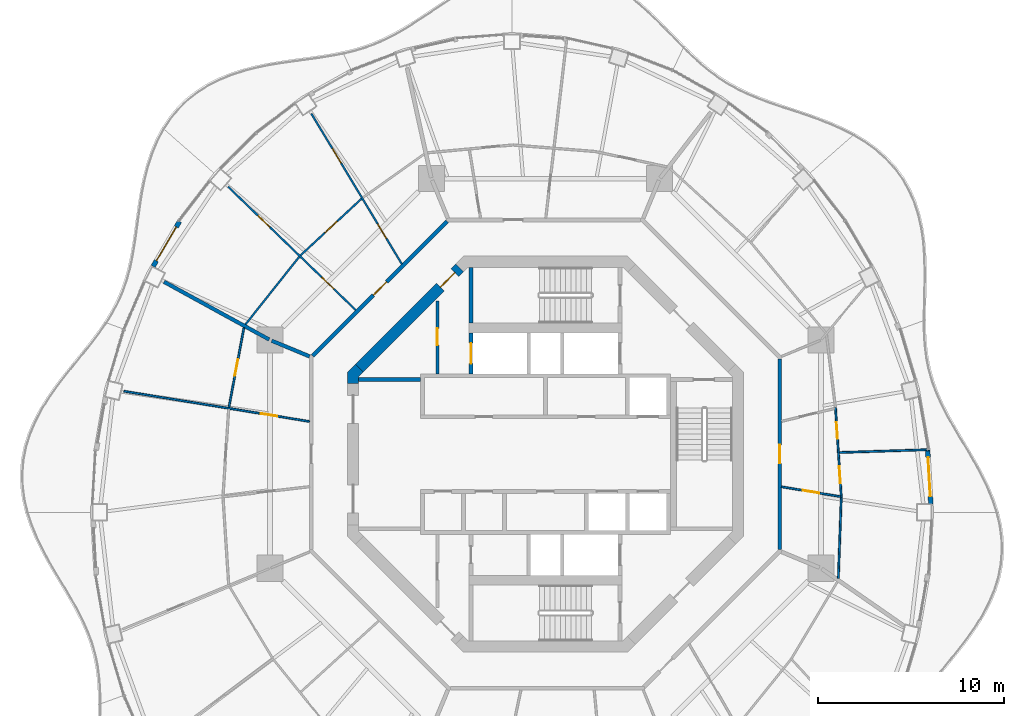
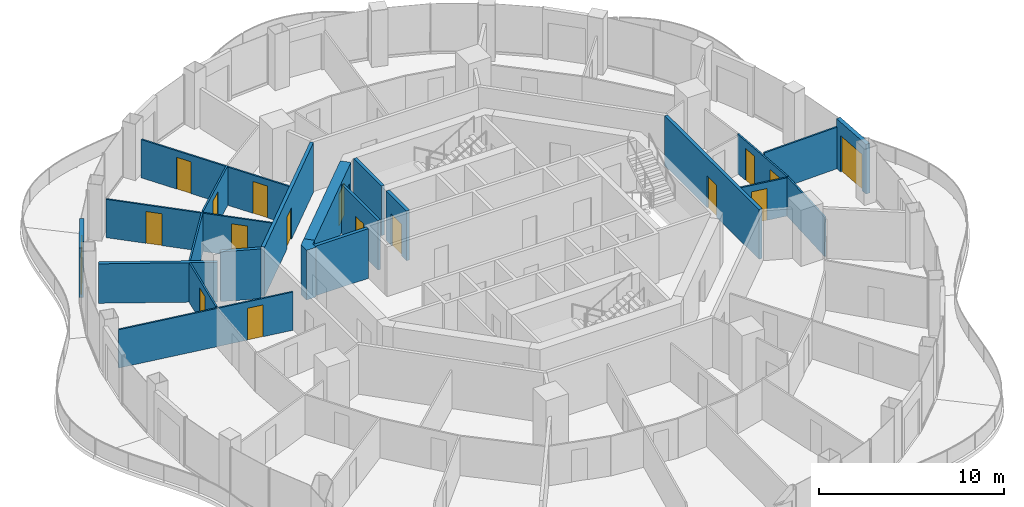
# One storey, part 12 of 17: 22 walls, 17 doors, 17 openings.
"""IFC4 building model written with IfcOpenShell, lengths in metres."""

from ifc_helpers import new_model, si_unit, direction, frame, frame_2d, origin, place, context, subcontext, project, spatial, polyline, rectangle, outline, extrude, material, layer, layer_set, type_object, element, fill, save


model = new_model("IFC4")

# Units and contexts
model_context = context("Model", 3, precision=1e-05, world=origin(), true_north=direction((0.0, 1.0)))
body_context = subcontext(model_context, "Body", "Model", "MODEL_VIEW")
ifc_project = project(units=[si_unit("LENGTHUNIT", "METRE"), si_unit("AREAUNIT", "SQUARE_METRE"), si_unit("VOLUMEUNIT", "CUBIC_METRE"), si_unit("PLANEANGLEUNIT", "RADIAN"), si_unit("MASSUNIT", "GRAM", prefix="KILO")], contexts=[model_context])

# Site, building, storey
site_placement = place(None, origin())
site = spatial("IfcSite", under=ifc_project, at=site_placement, CompositionType="ELEMENT")
building_placement = place(site_placement, origin())
building = spatial("IfcBuilding", under=site, at=building_placement, Name="Nagisa Residences", CompositionType="ELEMENT")
storey_placement = place(building_placement, frame((0.0, 0.0, 295.5)))
storey = spatial("IfcBuildingStorey", under=building, at=storey_placement, Name="L75", CompositionType="ELEMENT", Elevation=295.5)

# Walls
ifc_material_1 = material(Name="Gypsum board on steel studs", Category="steel")
ifc_layer_1 = layer(ifc_material_1, 0.199951171875)
ifc_layer_set_1 = layer_set([ifc_layer_1], Name="Apartment compartment wall EI60 200")
wall_type_1 = type_object("IfcWallType", Name="Apartment compartment wall EI60 200", PredefinedType="PARTITIONING", material=ifc_layer_set_1)
wall_1_placement = place(storey_placement, frame((-12.6572265625, 5.24267578125, 0.0), z_axis=(0.0, 0.0, 1.0), x_axis=(-0.923869415315, 0.382707856524, 0.0)))
element("IfcWall", 1, at=wall_1_placement, inside=storey, type_object=wall_type_1, Name="wall:L75:u04", PredefinedType="PARTITIONING", context=body_context, shape_type="SweptSolid", body=[
    extrude(rectangle(XDim=2.2001953125, YDim=0.199951171875, at=frame_2d((1.10009765625, 0.0))), origin(), (0.0, 0.0, 1.0), 3.280029296875),
])
wall_2_placement = place(storey_placement, frame((-14.825927734375, 6.14697265625, 0.0), z_axis=(0.0, 0.0, 1.0), x_axis=(-0.876484755865, 0.481429613481, 0.0)))
element("IfcWall", 2, at=wall_2_placement, inside=storey, type_object=wall_type_1, Name="wall:L75:u05", PredefinedType="PARTITIONING", context=body_context, shape_type="SweptSolid", body=[
    extrude(rectangle(XDim=6.43896484375, YDim=0.199951171875, at=frame_2d((3.219482421875, 0.0))), origin(), (0.0, 0.0, 1.0), 2.60205078125),
])

# Wall, opening, door
ifc_material_2 = material(Name="Gypsum board on steel studs", Category="steel")
ifc_layer_2 = layer(ifc_material_2, 0.199951171875)
ifc_layer_set_2 = layer_set([ifc_layer_2], Name="Apartment entry wall EI60 200")
wall_type_2 = type_object("IfcWallType", Name="Apartment entry wall EI60 200", PredefinedType="PARTITIONING", material=ifc_layer_set_2)
wall_3_placement = place(storey_placement, frame((12.564697265625, -5.1044921875, 0.0), z_axis=(0.0, 0.0, 1.0), x_axis=(0.0, 1.0, 0.0)))
wall_3 = element("IfcWall", 3, at=wall_3_placement, inside=storey, type_object=wall_type_2, Name="wall:L75:u10", PredefinedType="PARTITIONING", context=body_context, shape_type="SweptSolid", body=[
    extrude(rectangle(XDim=10.208984375, YDim=0.199951171875, at=frame_2d((5.1044921875, 0.0))), origin(), (0.0, 0.0, 1.0), 3.280029296875),
])
opening_1_placement = place(wall_3_placement, frame((4.6044921875, 0.0, 0.0)))
opening_1 = element("IfcOpeningElement", 4, at=opening_1_placement, cuts=wall_3, Name="Opening L75-U12", PredefinedType="OPENING", context=body_context, shape_type="SweptSolid", body=[
    extrude(rectangle(XDim=1.0, YDim=2.10009765625, at=frame_2d((0.5, 1.050048828125))), frame((0.0, 0.10986328125, 0.0), z_axis=(0.0, -1.0, 0.0), x_axis=(1.0, 0.0, 0.0)), (0.0, 0.0, 1.0), 0.219970703125),
])
ifc_material_3 = material(Name="Timber fire door set", Category="wood")
door_type_1 = type_object("IfcDoorType", Name="Apartment entry door FD30S 1000x2100", OperationType="NOTDEFINED", PredefinedType="DOOR", material=ifc_material_3)
door_1_placement = place(opening_1_placement, frame((1.0, 0.0, 0.0), x_axis=(-1.0, 0.0, 0.0)))
door_1 = element("IfcDoor", 5, at=door_1_placement, inside=storey, type_object=door_type_1, Name="Entry door, Apartment 75B", OperationType="SINGLE_SWING_LEFT", OverallHeight=2.10009765625, OverallWidth=1.0, PredefinedType="DOOR", context=body_context, shape_type="SweptSolid", body=[
    extrude(rectangle(XDim=1.0, YDim=2.10009765625, at=frame_2d((0.5, 1.050048828125))), frame((0.0, 0.02490234375, 0.0), z_axis=(0.0, -1.0, 0.0), x_axis=(1.0, 0.0, 0.0)), (0.0, 0.0, 1.0), 0.050048828125),
])
fill(opening_1, door_1)

wall_4_placement = place(storey_placement, frame((-5.275146484375, 12.494140625, 0.0), z_axis=(0.0, 0.0, 1.0), x_axis=(-0.707106781187, -0.707106781187, 0.0)))
wall_4 = element("IfcWall", 6, at=wall_4_placement, inside=storey, type_object=wall_type_2, Name="wall:L75:u13", PredefinedType="PARTITIONING", context=body_context, shape_type="SweptSolid", body=[
    extrude(rectangle(XDim=10.209228515625, YDim=0.199951171875, at=frame_2d((5.1044921875, 0.0))), origin(), (0.0, 0.0, 1.0), 3.280029296875),
])
opening_2_placement = place(wall_4_placement, frame((4.6044921875, 0.0, 0.0)))
opening_2 = element("IfcOpeningElement", 7, at=opening_2_placement, cuts=wall_4, Name="Opening L75-U25", PredefinedType="OPENING", context=body_context, shape_type="SweptSolid", body=[
    extrude(rectangle(XDim=1.0, YDim=2.10009765625, at=frame_2d((0.5, 1.050048828125))), frame((0.0, 0.10986328125, 0.0), z_axis=(0.0, -1.0, 0.0), x_axis=(1.0, 0.0, 0.0)), (0.0, 0.0, 1.0), 0.219970703125),
])
door_2_placement = place(opening_2_placement, frame((1.0, 0.0, 0.0), x_axis=(-1.0, 0.0, 0.0)))
door_2 = element("IfcDoor", 8, at=door_2_placement, inside=storey, type_object=door_type_1, Name="Entry door, Apartment 75D", OperationType="SINGLE_SWING_RIGHT", OverallHeight=2.10009765625, OverallWidth=1.0, PredefinedType="DOOR", context=body_context, shape_type="SweptSolid", body=[
    extrude(rectangle(XDim=1.0, YDim=2.10009765625, at=frame_2d((0.5, 1.050048828125))), frame((0.0, 0.02490234375, 0.0), z_axis=(0.0, -1.0, 0.0), x_axis=(1.0, 0.0, 0.0)), (0.0, 0.0, 1.0), 0.050048828125),
])
fill(opening_2, door_2)

ifc_material_4 = material(Name="Gypsum board on steel studs", Category="steel")
ifc_layer_3 = layer(ifc_material_4, 0.10009765625)
ifc_layer_set_3 = layer_set([ifc_layer_3], Name="Apartment partition 100")
wall_type_3 = type_object("IfcWallType", Name="Apartment partition 100", PredefinedType="PARTITIONING", material=ifc_layer_set_3)
wall_5_placement = place(storey_placement, frame((12.663330078125, -1.75146484375, 0.0), z_axis=(0.0, 0.0, 1.0), x_axis=(0.98626156497, -0.165191178529, 0.0)))
wall_5 = element("IfcWall", 9, at=wall_5_placement, inside=storey, type_object=wall_type_3, Name="wall:L75:u18", PredefinedType="PARTITIONING", context=body_context, shape_type="SweptSolid", body=[
    extrude(rectangle(XDim=3.1982421875, YDim=0.10009765625, at=frame_2d((1.59912109375, 0.0))), origin(), (0.0, 0.0, 1.0), 2.527099609375),
])
opening_3_placement = place(wall_5_placement, frame((1.149169921875, 0.0, 0.0)))
opening_3 = element("IfcOpeningElement", 10, at=opening_3_placement, cuts=wall_5, Name="Opening L75-U13", PredefinedType="OPENING", context=body_context, shape_type="SweptSolid", body=[
    extrude(rectangle(XDim=0.89990234375, YDim=2.10009765625, at=frame_2d((0.449951171875, 1.050048828125))), frame((0.0, 0.06005859375, 0.0), z_axis=(0.0, -1.0, 0.0), x_axis=(1.0, 0.0, 0.0)), (0.0, 0.0, 1.0), 0.1201171875),
])
ifc_material_5 = material(Name="Timber door set", Category="wood")
door_type_2 = type_object("IfcDoorType", Name="Apartment door 900x2100", OperationType="NOTDEFINED", PredefinedType="DOOR", material=ifc_material_5)
door_3_placement = place(opening_3_placement, frame((0.89990234375, 0.0, 0.0), x_axis=(-1.0, 0.0, 0.0)))
door_3 = element("IfcDoor", 11, at=door_3_placement, inside=storey, type_object=door_type_2, Name="Door to laundry, Apartment 75B", OperationType="SINGLE_SWING_RIGHT", OverallHeight=2.10009765625, OverallWidth=0.89990234375, PredefinedType="DOOR", context=body_context, shape_type="SweptSolid", body=[
    extrude(rectangle(XDim=0.89990234375, YDim=2.10009765625, at=frame_2d((0.449951171875, 1.050048828125))), frame((0.0, 0.02490234375, 0.0), z_axis=(0.0, -1.0, 0.0), x_axis=(1.0, 0.0, 0.0)), (0.0, 0.0, 1.0), 0.050048828125),
])
fill(opening_3, door_3)

# Wall, openings, doors
wall_6_placement = place(storey_placement, frame((15.8701171875, -2.337890625, 0.0), z_axis=(0.0, 0.0, 1.0), x_axis=(-0.064797294757, 0.997898447034, 0.0)))
wall_6 = element("IfcWall", 12, at=wall_6_placement, inside=storey, type_object=wall_type_3, Name="wall:L75:u19", PredefinedType="PARTITIONING", context=body_context, shape_type="SweptSolid", body=[
    extrude(rectangle(XDim=4.856689453125, YDim=0.10009765625, at=frame_2d((2.42822265625, 0.0))), origin(), (0.0, 0.0, 1.0), 2.60205078125),
])
opening_4_placement = place(wall_6_placement, frame((0.789306640625, 0.0, 0.0)))
opening_4 = element("IfcOpeningElement", 13, at=opening_4_placement, cuts=wall_6, Name="Opening L75-U15", PredefinedType="OPENING", context=body_context, shape_type="SweptSolid", body=[
    extrude(rectangle(XDim=0.89990234375, YDim=2.10009765625, at=frame_2d((0.449951171875, 1.050048828125))), frame((0.0, 0.06005859375, 0.0), z_axis=(0.0, -1.0, 0.0), x_axis=(1.0, 0.0, 0.0)), (0.0, 0.0, 1.0), 0.1201171875),
])
opening_5_placement = place(wall_6_placement, frame((3.16748046875, 0.0, 0.0)))
opening_5 = element("IfcOpeningElement", 14, at=opening_5_placement, cuts=wall_6, Name="Opening L75-U16", PredefinedType="OPENING", context=body_context, shape_type="SweptSolid", body=[
    extrude(rectangle(XDim=0.89990234375, YDim=2.10009765625, at=frame_2d((0.449951171875, 1.050048828125))), frame((0.0, 0.06005859375, 0.0), z_axis=(0.0, -1.0, 0.0), x_axis=(1.0, 0.0, 0.0)), (0.0, 0.0, 1.0), 0.1201171875),
])
door_4_placement = place(opening_4_placement, frame((0.89990234375, 0.0, 0.0), x_axis=(-1.0, 0.0, 0.0)))
door_4 = element("IfcDoor", 15, at=door_4_placement, inside=storey, type_object=door_type_2, Name="Door to master bedroom, Apartment 75B", OperationType="SINGLE_SWING_RIGHT", OverallHeight=2.10009765625, OverallWidth=0.89990234375, PredefinedType="DOOR", context=body_context, shape_type="SweptSolid", body=[
    extrude(rectangle(XDim=0.89990234375, YDim=2.10009765625, at=frame_2d((0.449951171875, 1.050048828125))), frame((0.0, 0.02490234375, 0.0), z_axis=(0.0, -1.0, 0.0), x_axis=(1.0, 0.0, 0.0)), (0.0, 0.0, 1.0), 0.050048828125),
])
fill(opening_4, door_4)
door_5_placement = place(opening_5_placement, frame((0.89990234375, 0.0, 0.0), x_axis=(-1.0, 0.0, 0.0)))
door_5 = element("IfcDoor", 16, at=door_5_placement, inside=storey, type_object=door_type_2, Name="Door to bedroom, Apartment 75B", OperationType="SINGLE_SWING_LEFT", OverallHeight=2.10009765625, OverallWidth=0.89990234375, PredefinedType="DOOR", context=body_context, shape_type="SweptSolid", body=[
    extrude(rectangle(XDim=0.89990234375, YDim=2.10009765625, at=frame_2d((0.449951171875, 1.050048828125))), frame((0.0, 0.02490234375, 0.0), z_axis=(0.0, -1.0, 0.0), x_axis=(1.0, 0.0, 0.0)), (0.0, 0.0, 1.0), 0.050048828125),
])
fill(opening_5, door_5)

# Walls
wall_7_placement = place(storey_placement, frame((15.864990234375, -2.337890625, 0.0), z_axis=(0.0, 0.0, 1.0), x_axis=(-0.035864509465, -0.999356661538, 0.0)))
element("IfcWall", 17, at=wall_7_placement, inside=storey, type_object=wall_type_3, Name="wall:L75:u20", PredefinedType="PARTITIONING", context=body_context, shape_type="SweptSolid", body=[
    extrude(rectangle(XDim=4.329345703125, YDim=0.10009765625, at=frame_2d((2.16455078125, 0.0))), origin(), (0.0, 0.0, 1.0), 2.60205078125),
])
wall_8_placement = place(storey_placement, frame((15.7626953125, 0.0869140625, 0.0), z_axis=(0.0, 0.0, 1.0), x_axis=(0.999492034598, 0.03186962151, 0.0)))
element("IfcWall", 18, at=wall_8_placement, inside=storey, type_object=wall_type_3, Name="wall:L75:u21", PredefinedType="PARTITIONING", context=body_context, shape_type="SweptSolid", body=[
    extrude(rectangle(XDim=4.826171875, YDim=0.10009765625, at=frame_2d((2.4130859375, 0.0))), origin(), (0.0, 0.0, 1.0), 2.7451171875),
])

# Wall, openings, doors
wall_9_placement = place(storey_placement, frame((-7.70947265625, 10.197021484375, 0.0), z_axis=(0.0, 0.0, 1.0), x_axis=(-0.515516160663, 0.856879856278, 0.0)))
wall_9 = element("IfcWall", 19, at=wall_9_placement, inside=storey, type_object=wall_type_3, Name="wall:L75:u35", PredefinedType="PARTITIONING", context=body_context, shape_type="SweptSolid", body=[
    extrude(rectangle(XDim=9.42626953125, YDim=0.10009765625, at=frame_2d((4.713134765625, 0.0))), origin(), (0.0, 0.0, 1.0), 2.527099609375),
])
opening_6_placement = place(wall_9_placement, frame((1.615234375, 0.0, 0.0)))
opening_6 = element("IfcOpeningElement", 20, at=opening_6_placement, cuts=wall_9, Name="Opening L75-U26", PredefinedType="OPENING", context=body_context, shape_type="SweptSolid", body=[
    extrude(rectangle(XDim=0.89990234375, YDim=2.10009765625, at=frame_2d((0.449951171875, 1.050048828125))), frame((0.0, 0.06005859375, 0.0), z_axis=(0.0, -1.0, 0.0), x_axis=(1.0, 0.0, 0.0)), (0.0, 0.0, 1.0), 0.1201171875),
])
opening_7_placement = place(wall_9_placement, frame((6.328369140625, 0.0, 0.0)))
opening_7 = element("IfcOpeningElement", 21, at=opening_7_placement, cuts=wall_9, Name="Opening L75-U30", PredefinedType="OPENING", context=body_context, shape_type="SweptSolid", body=[
    extrude(rectangle(XDim=0.89990234375, YDim=2.10009765625, at=frame_2d((0.449951171875, 1.050048828125))), frame((0.0, 0.06005859375, 0.0), z_axis=(0.0, -1.0, 0.0), x_axis=(1.0, 0.0, 0.0)), (0.0, 0.0, 1.0), 0.1201171875),
])
door_6_placement = place(opening_6_placement, frame((0.89990234375, 0.0, 0.0), x_axis=(-1.0, 0.0, 0.0)))
door_6 = element("IfcDoor", 22, at=door_6_placement, inside=storey, type_object=door_type_2, Name="Door to family bathroom, Apartment 75D", OperationType="SINGLE_SWING_LEFT", OverallHeight=2.10009765625, OverallWidth=0.89990234375, PredefinedType="DOOR", context=body_context, shape_type="SweptSolid", body=[
    extrude(rectangle(XDim=0.89990234375, YDim=2.10009765625, at=frame_2d((0.449951171875, 1.050048828125))), frame((0.0, 0.02490234375, 0.0), z_axis=(0.0, -1.0, 0.0), x_axis=(1.0, 0.0, 0.0)), (0.0, 0.0, 1.0), 0.050048828125),
])
fill(opening_6, door_6)
door_7_placement = place(opening_7_placement, frame((0.89990234375, 0.0, 0.0), x_axis=(-1.0, 0.0, 0.0)))
door_7 = element("IfcDoor", 23, at=door_7_placement, inside=storey, type_object=door_type_2, Name="Door to bedroom, Apartment 75D", OperationType="SINGLE_SWING_LEFT", OverallHeight=2.10009765625, OverallWidth=0.89990234375, PredefinedType="DOOR", context=body_context, shape_type="SweptSolid", body=[
    extrude(rectangle(XDim=0.89990234375, YDim=2.10009765625, at=frame_2d((0.449951171875, 1.050048828125))), frame((0.0, 0.02490234375, 0.0), z_axis=(0.0, -1.0, 0.0), x_axis=(1.0, 0.0, 0.0)), (0.0, 0.0, 1.0), 0.050048828125),
])
fill(opening_7, door_7)

# Wall, opening, door
wall_10_placement = place(storey_placement, frame((-9.87548828125, 13.702392578125, 0.0), z_axis=(0.0, 0.0, 1.0), x_axis=(-0.732618266441, -0.680639754699, 0.0)))
wall_10 = element("IfcWall", 24, at=wall_10_placement, inside=storey, type_object=wall_type_3, Name="wall:L75:u36", PredefinedType="PARTITIONING", context=body_context, shape_type="SweptSolid", body=[
    extrude(rectangle(XDim=4.466796875, YDim=0.10009765625, at=frame_2d((2.2333984375, 0.0))), origin(), (0.0, 0.0, 1.0), 2.60205078125),
])
opening_8_placement = place(wall_10_placement, frame((1.783447265625, 0.0, 0.0)))
opening_8 = element("IfcOpeningElement", 25, at=opening_8_placement, cuts=wall_10, Name="Opening L75-U28", PredefinedType="OPENING", context=body_context, shape_type="SweptSolid", body=[
    extrude(rectangle(XDim=0.89990234375, YDim=2.10009765625, at=frame_2d((0.449951171875, 1.050048828125))), frame((0.0, 0.06005859375, 0.0), z_axis=(0.0, -1.0, 0.0), x_axis=(1.0, 0.0, 0.0)), (0.0, 0.0, 1.0), 0.1201171875),
])
door_8_placement = place(opening_8_placement, frame((0.89990234375, 0.0, 0.0), x_axis=(-1.0, 0.0, 0.0)))
door_8 = element("IfcDoor", 26, at=door_8_placement, inside=storey, type_object=door_type_2, Name="Door to kitchen, Apartment 75D", OperationType="SINGLE_SWING_LEFT", OverallHeight=2.10009765625, OverallWidth=0.89990234375, PredefinedType="DOOR", context=body_context, shape_type="SweptSolid", body=[
    extrude(rectangle(XDim=0.89990234375, YDim=2.10009765625, at=frame_2d((0.449951171875, 1.050048828125))), frame((0.0, 0.02490234375, 0.0), z_axis=(0.0, -1.0, 0.0), x_axis=(1.0, 0.0, 0.0)), (0.0, 0.0, 1.0), 0.050048828125),
])
fill(opening_8, door_8)

# Wall, openings, doors
wall_11_placement = place(storey_placement, frame((-10.183349609375, 7.727294921875, 0.0), z_axis=(0.0, 0.0, 1.0), x_axis=(-0.719063433856, 0.694944442449, 0.0)))
wall_11 = element("IfcWall", 27, at=wall_11_placement, inside=storey, type_object=wall_type_3, Name="wall:L75:u37", PredefinedType="PARTITIONING", context=body_context, shape_type="SweptSolid", body=[
    extrude(rectangle(XDim=9.53515625, YDim=0.10009765625, at=frame_2d((4.767578125, 0.0))), origin(), (0.0, 0.0, 1.0), 2.527099609375),
])
opening_9_placement = place(wall_11_placement, frame((1.636962890625, 0.0, 0.0)))
opening_9 = element("IfcOpeningElement", 28, at=opening_9_placement, cuts=wall_11, Name="Opening L75-U27", PredefinedType="OPENING", context=body_context, shape_type="SweptSolid", body=[
    extrude(rectangle(XDim=0.89990234375, YDim=2.10009765625, at=frame_2d((0.449951171875, 1.050048828125))), frame((0.0, 0.06005859375, 0.0), z_axis=(0.0, -1.0, 0.0), x_axis=(1.0, 0.0, 0.0)), (0.0, 0.0, 1.0), 0.1201171875),
])
opening_10_placement = place(wall_11_placement, frame((6.404541015625, 0.0, 0.0)))
opening_10 = element("IfcOpeningElement", 29, at=opening_10_placement, cuts=wall_11, Name="Opening L75-U29", PredefinedType="OPENING", context=body_context, shape_type="SweptSolid", body=[
    extrude(rectangle(XDim=0.89990234375, YDim=2.10009765625, at=frame_2d((0.449951171875, 1.050048828125))), frame((0.0, 0.06005859375, 0.0), z_axis=(0.0, -1.0, 0.0), x_axis=(1.0, 0.0, 0.0)), (0.0, 0.0, 1.0), 0.1201171875),
])
door_9_placement = place(opening_9_placement, origin())
door_9 = element("IfcDoor", 30, at=door_9_placement, inside=storey, type_object=door_type_2, Name="Door to laundry, Apartment 75D", OperationType="SINGLE_SWING_LEFT", OverallHeight=2.10009765625, OverallWidth=0.89990234375, PredefinedType="DOOR", context=body_context, shape_type="SweptSolid", body=[
    extrude(rectangle(XDim=0.89990234375, YDim=2.10009765625, at=frame_2d((0.449951171875, 1.050048828125))), frame((0.0, 0.02490234375, 0.0), z_axis=(0.0, -1.0, 0.0), x_axis=(1.0, 0.0, 0.0)), (0.0, 0.0, 1.0), 0.050048828125),
])
fill(opening_9, door_9)
door_10_placement = place(opening_10_placement, origin())
door_10 = element("IfcDoor", 31, at=door_10_placement, inside=storey, type_object=door_type_2, Name="Door to living room, Apartment 75D", OperationType="SINGLE_SWING_LEFT", OverallHeight=2.10009765625, OverallWidth=0.89990234375, PredefinedType="DOOR", context=body_context, shape_type="SweptSolid", body=[
    extrude(rectangle(XDim=0.89990234375, YDim=2.10009765625, at=frame_2d((0.449951171875, 1.050048828125))), frame((0.0, 0.02490234375, 0.0), z_axis=(0.0, -1.0, 0.0), x_axis=(1.0, 0.0, 0.0)), (0.0, 0.0, 1.0), 0.050048828125),
])
fill(opening_10, door_10)

# Wall
wall_12_placement = place(storey_placement, frame((-13.2158203125, 10.5888671875, 0.0), z_axis=(0.0, 0.0, 1.0), x_axis=(-0.622251572882, -0.782817335045, 0.0)))
element("IfcWall", 32, at=wall_12_placement, inside=storey, type_object=wall_type_3, Name="wall:L75:u38", PredefinedType="PARTITIONING", context=body_context, shape_type="SweptSolid", body=[
    extrude(rectangle(XDim=4.635986328125, YDim=0.10009765625, at=frame_2d((2.31787109375, 0.0))), origin(), (0.0, 0.0, 1.0), 2.60205078125),
])

# Wall, opening, door
wall_13_placement = place(storey_placement, frame((-16.181396484375, 6.783203125, 0.0), z_axis=(0.0, 0.0, 1.0), x_axis=(-0.185670583745, -0.982612046706, 0.0)))
wall_13 = element("IfcWall", 33, at=wall_13_placement, inside=storey, type_object=wall_type_3, Name="wall:L75:u39", PredefinedType="PARTITIONING", context=body_context, shape_type="SweptSolid", body=[
    extrude(rectangle(XDim=4.35107421875, YDim=0.10009765625, at=frame_2d((2.175537109375, 0.0))), origin(), (0.0, 0.0, 1.0), 2.60205078125),
])
opening_11_placement = place(wall_13_placement, frame((1.7255859375, 0.0, 0.0)))
opening_11 = element("IfcOpeningElement", 34, at=opening_11_placement, cuts=wall_13, Name="Opening L75-U34", PredefinedType="OPENING", context=body_context, shape_type="SweptSolid", body=[
    extrude(rectangle(XDim=0.89990234375, YDim=2.10009765625, at=frame_2d((0.449951171875, 1.050048828125))), frame((0.0, 0.06005859375, 0.0), z_axis=(0.0, -1.0, 0.0), x_axis=(1.0, 0.0, 0.0)), (0.0, 0.0, 1.0), 0.1201171875),
])
door_11_placement = place(opening_11_placement, frame((0.89990234375, 0.0, 0.0), x_axis=(-1.0, 0.0, 0.0)))
door_11 = element("IfcDoor", 35, at=door_11_placement, inside=storey, type_object=door_type_2, Name="Door to bedroom, Apartment 75E", OperationType="SINGLE_SWING_LEFT", OverallHeight=2.10009765625, OverallWidth=0.89990234375, PredefinedType="DOOR", context=body_context, shape_type="SweptSolid", body=[
    extrude(rectangle(XDim=0.89990234375, YDim=2.10009765625, at=frame_2d((0.449951171875, 1.050048828125))), frame((0.0, 0.02490234375, 0.0), z_axis=(0.0, -1.0, 0.0), x_axis=(1.0, 0.0, 0.0)), (0.0, 0.0, 1.0), 0.050048828125),
])
fill(opening_11, door_11)

wall_14_placement = place(storey_placement, frame((-12.66357421875, 1.7509765625, 0.0), z_axis=(0.0, 0.0, 1.0), x_axis=(-0.986935394566, 0.161116501183, 0.0)))
wall_14 = element("IfcWall", 36, at=wall_14_placement, inside=storey, type_object=wall_type_3, Name="wall:L75:u40", PredefinedType="PARTITIONING", context=body_context, shape_type="SweptSolid", body=[
    extrude(rectangle(XDim=10.0859375, YDim=0.10009765625, at=frame_2d((5.04296875, 0.0))), origin(), (0.0, 0.0, 1.0), 2.527099609375),
])
opening_12_placement = place(wall_14_placement, frame((1.74609375, 0.0, 0.0)))
opening_12 = element("IfcOpeningElement", 37, at=opening_12_placement, cuts=wall_14, Name="Opening L75-U32", PredefinedType="OPENING", context=body_context, shape_type="SweptSolid", body=[
    extrude(rectangle(XDim=0.89990234375, YDim=2.10009765625, at=frame_2d((0.449951171875, 1.050048828125))), frame((0.0, 0.06005859375, 0.0), z_axis=(0.0, -1.0, 0.0), x_axis=(1.0, 0.0, 0.0)), (0.0, 0.0, 1.0), 0.1201171875),
])
door_12_placement = place(opening_12_placement, frame((0.89990234375, 0.0, 0.0), x_axis=(-1.0, 0.0, 0.0)))
door_12 = element("IfcDoor", 38, at=door_12_placement, inside=storey, type_object=door_type_2, Name="Door to store, Apartment 75E", OperationType="SINGLE_SWING_LEFT", OverallHeight=2.10009765625, OverallWidth=0.89990234375, PredefinedType="DOOR", context=body_context, shape_type="SweptSolid", body=[
    extrude(rectangle(XDim=0.89990234375, YDim=2.10009765625, at=frame_2d((0.449951171875, 1.050048828125))), frame((0.0, 0.02490234375, 0.0), z_axis=(0.0, -1.0, 0.0), x_axis=(1.0, 0.0, 0.0)), (0.0, 0.0, 1.0), 0.050048828125),
])
fill(opening_12, door_12)

ifc_material_6 = material(Name="Precast concrete C40/50", Category="concrete")
ifc_layer_4 = layer(ifc_material_6, 0.25)
ifc_layer_set_4 = layer_set([ifc_layer_4], Name="BALCONY DOOR WALL 250")
wall_type_4 = type_object("IfcWallType", Name="BALCONY DOOR WALL 250", PredefinedType="SOLIDWALL", material=ifc_layer_set_4)
wall_15_placement = place(storey_placement, frame((20.501708984375, 0.23486328125, 0.0), z_axis=(0.0, 0.0, 1.0), x_axis=(0.057533933376, -0.998343551344, 0.0)))
wall_15 = element("IfcWall", 39, at=wall_15_placement, inside=storey, type_object=wall_type_4, Name="wall:L75:bay00", PredefinedType="SOLIDWALL", context=body_context, shape_type="SweptSolid", body=[
    extrude(rectangle(XDim=2.915283203125, YDim=0.25, at=frame_2d((1.45751953125, 0.0))), origin(), (0.0, 0.0, 1.0), 3.280029296875),
])
opening_13_placement = place(wall_15_placement, frame((0.40771484375, 0.0, 0.0)))
opening_13 = element("IfcOpeningElement", 40, at=opening_13_placement, cuts=wall_15, Name="Opening BD-L75-01", PredefinedType="OPENING", context=body_context, shape_type="SweptSolid", body=[
    extrude(rectangle(XDim=2.10009765625, YDim=2.39990234375, at=frame_2d((1.050048828125, 1.199951171875))), frame((0.0, 0.135009765625, 0.0), z_axis=(0.0, -1.0, 0.0), x_axis=(1.0, 0.0, 0.0)), (0.0, 0.0, 1.0), 0.27001953125),
])
ifc_material_7 = material(Name="Aluminium and clear glass", Category="aluminium")
door_type_3 = type_object("IfcDoorType", Name="BALCONY SLIDING DOOR 2100x2400", OperationType="SLIDING_TO_LEFT", PredefinedType="DOOR", material=ifc_material_7)
door_13_placement = place(opening_13_placement, origin())
door_13 = element("IfcDoor", 41, at=door_13_placement, inside=storey, type_object=door_type_3, Name="door:L75:bay00", OperationType="SLIDING_TO_LEFT", OverallHeight=2.39990234375, OverallWidth=2.10009765625, PredefinedType="DOOR", context=body_context, shape_type="SweptSolid", body=[
    extrude(rectangle(XDim=2.10009765625, YDim=2.39990234375, at=frame_2d((1.050048828125, 1.199951171875))), frame((0.0, 0.02490234375, 0.0), z_axis=(0.0, -1.0, 0.0), x_axis=(1.0, 0.0, 0.0)), (0.0, 0.0, 1.0), 0.050048828125),
])
fill(opening_13, door_13)

wall_16_placement = place(storey_placement, frame((-21.053955078125, 10.0771484375, 0.0), z_axis=(0.0, 0.0, 1.0), x_axis=(0.506371364425, 0.862315511452, 0.0)))
wall_16 = element("IfcWall", 42, at=wall_16_placement, inside=storey, type_object=wall_type_4, Name="wall:L75:bay19", PredefinedType="SOLIDWALL", context=body_context, shape_type="SweptSolid", body=[
    extrude(rectangle(XDim=2.79638671875, YDim=0.25, at=frame_2d((1.398193359375, 0.0))), origin(), (0.0, 0.0, 1.0), 3.280029296875),
])
opening_14_placement = place(wall_16_placement, frame((0.34814453125, 0.0, 0.0)))
opening_14 = element("IfcOpeningElement", 43, at=opening_14_placement, cuts=wall_16, Name="Opening BD-L75-07", PredefinedType="OPENING", context=body_context, shape_type="SweptSolid", body=[
    extrude(rectangle(XDim=2.10009765625, YDim=2.39990234375, at=frame_2d((1.050048828125, 1.199951171875))), frame((0.0, 0.135009765625, 0.0), z_axis=(0.0, -1.0, 0.0), x_axis=(1.0, 0.0, 0.0)), (0.0, 0.0, 1.0), 0.27001953125),
])
door_14_placement = place(opening_14_placement, origin())
door_14 = element("IfcDoor", 44, at=door_14_placement, inside=storey, type_object=door_type_3, Name="door:L75:bay19", OperationType="SLIDING_TO_LEFT", OverallHeight=2.39990234375, OverallWidth=2.10009765625, PredefinedType="DOOR", context=body_context, shape_type="SweptSolid", body=[
    extrude(rectangle(XDim=2.10009765625, YDim=2.39990234375, at=frame_2d((1.050048828125, 1.199951171875))), frame((0.0, 0.02490234375, 0.0), z_axis=(0.0, -1.0, 0.0), x_axis=(1.0, 0.0, 0.0)), (0.0, 0.0, 1.0), 0.050048828125),
])
fill(opening_14, door_14)

ifc_material_8 = material(Name="Gypsum board on steel studs", Category="steel")
ifc_layer_5 = layer(ifc_material_8, 0.14990234375)
ifc_layer_set_5 = layer_set([ifc_layer_5], Name="Core partition 150")
wall_type_5 = type_object("IfcWallType", Name="Core partition 150", PredefinedType="PARTITIONING", material=ifc_layer_set_5)
wall_17_placement = place(storey_placement, frame((-5.800048828125, 4.300048828125, 0.0), z_axis=(0.0, 0.0, 1.0), x_axis=(0.0, 1.0, 0.0)))
wall_17 = element("IfcWall", 45, at=wall_17_placement, inside=storey, type_object=wall_type_5, Name="wall:L75:NWp", PredefinedType="PARTITIONING", context=body_context, shape_type="SweptSolid", body=[
    extrude(rectangle(XDim=3.927001953125, YDim=0.14990234375, at=frame_2d((1.96337890625, 0.0))), origin(), (0.0, 0.0, 1.0), 3.280029296875),
])
opening_15_placement = place(wall_17_placement, frame((1.551025390625, 0.0, 0.0)))
opening_15 = element("IfcOpeningElement", 46, at=opening_15_placement, cuts=wall_17, Name="Opening L75-C10", PredefinedType="OPENING", context=body_context, shape_type="SweptSolid", body=[
    extrude(rectangle(XDim=0.89990234375, YDim=2.10009765625, at=frame_2d((0.449951171875, 1.050048828125))), frame((0.0, 0.0849609375, 0.0), z_axis=(0.0, -1.0, 0.0), x_axis=(1.0, 0.0, 0.0)), (0.0, 0.0, 1.0), 0.169921875),
])
ifc_material_9 = material(Name="Steel fire door", Category="steel")
door_type_4 = type_object("IfcDoorType", Name="Fire door EI30 900x2100 single swing", OperationType="NOTDEFINED", PredefinedType="DOOR", material=ifc_material_9)
door_15_placement = place(opening_15_placement, origin())
door_15 = element("IfcDoor", 47, at=door_15_placement, inside=storey, type_object=door_type_4, Name="Staff WC door L75", OperationType="SINGLE_SWING_LEFT", OverallHeight=2.10009765625, OverallWidth=0.89990234375, PredefinedType="DOOR", context=body_context, shape_type="SweptSolid", body=[
    extrude(rectangle(XDim=0.89990234375, YDim=2.10009765625, at=frame_2d((0.449951171875, 1.050048828125))), frame((0.0, 0.02490234375, 0.0), z_axis=(0.0, -1.0, 0.0), x_axis=(1.0, 0.0, 0.0)), (0.0, 0.0, 1.0), 0.050048828125),
])
fill(opening_15, door_15)

# Wall
ifc_material_10 = material(Name="Gypsum board on steel studs", Category="steel")
ifc_layer_6 = layer(ifc_material_10, 0.199951171875)
ifc_layer_set_6 = layer_set([ifc_layer_6], Name="Core partition 200")
wall_type_6 = type_object("IfcWallType", Name="Core partition 200", PredefinedType="PARTITIONING", material=ifc_layer_set_6)
wall_18_placement = place(storey_placement, frame((-10.024658203125, 4.0, 0.0), z_axis=(0.0, 0.0, 1.0), x_axis=(1.0, 0.0, 0.0)))
element("IfcWall", 48, at=wall_18_placement, inside=storey, type_object=wall_type_6, Name="wall:L75:PNW", PredefinedType="PARTITIONING", context=body_context, shape_type="SweptSolid", body=[
    extrude(rectangle(XDim=3.32470703125, YDim=0.199951171875, at=frame_2d((1.662353515625, 0.0))), origin(), (0.0, 0.0, 1.0), 3.280029296875),
])

# Wall, opening, door
ifc_material_11 = material(Name="Concrete C60", Category="concrete")
ifc_layer_7 = layer(ifc_material_11, 0.60009765625)
ifc_layer_set_7 = layer_set([ifc_layer_7], Name="Core shear wall 600")
wall_type_7 = type_object("IfcWallType", Name="Core shear wall 600", PredefinedType="SHEAR", material=ifc_layer_set_7)
wall_19_placement = place(storey_placement, frame((-4.613037109375, 9.98828125, 0.0), z_axis=(0.0, 0.0, 1.0), x_axis=(-0.707106781187, -0.707106781187, 0.0)))
wall_19 = element("IfcWall", 49, at=wall_19_placement, inside=storey, type_object=wall_type_7, Name="wall:L75:core:flat3", PredefinedType="SHEAR", context=body_context, shape_type="SweptSolid", body=[
    extrude(rectangle(XDim=7.601806640625, YDim=0.60009765625, at=frame_2d((3.80078125, 0.0))), origin(), (0.0, 0.0, 1.0), 3.280029296875),
])
opening_16_placement = place(wall_19_placement, frame((0.350830078125, 0.0, 0.0)))
opening_16 = element("IfcOpeningElement", 50, at=opening_16_placement, cuts=wall_19, Name="Opening L75-C22", PredefinedType="OPENING", context=body_context, shape_type="SweptSolid", body=[
    extrude(rectangle(XDim=1.10009765625, YDim=2.10009765625, at=frame_2d((0.550048828125, 1.050048828125))), frame((0.0, 0.31005859375, 0.0), z_axis=(0.0, -1.0, 0.0), x_axis=(1.0, 0.0, 0.0)), (0.0, 0.0, 1.0), 0.6201171875),
])
ifc_material_12 = material(Name="Steel fire door", Category="steel")
door_type_5 = type_object("IfcDoorType", Name="Fire door EI60 1100x2100 single swing", OperationType="NOTDEFINED", PredefinedType="DOOR", material=ifc_material_12)
door_16_placement = place(opening_16_placement, origin())
door_16 = element("IfcDoor", 51, at=door_16_placement, inside=storey, type_object=door_type_5, Name="Service lobby door L75", OperationType="SINGLE_SWING_RIGHT", OverallHeight=2.10009765625, OverallWidth=1.10009765625, PredefinedType="DOOR", context=body_context, shape_type="SweptSolid", body=[
    extrude(rectangle(XDim=1.10009765625, YDim=2.10009765625, at=frame_2d((0.550048828125, 1.050048828125))), frame((0.0, 0.02490234375, 0.0), z_axis=(0.0, -1.0, 0.0), x_axis=(1.0, 0.0, 0.0)), (0.0, 0.0, 1.0), 0.050048828125),
])
fill(opening_16, door_16)

# Wall
wall_20_placement = place(storey_placement, origin())
element("IfcWall", 52, at=wall_20_placement, inside=storey, type_object=wall_type_7, Name="wall:L75:core:pier3", PredefinedType="SHEAR", context=body_context, shape_type="SweptSolid", body=[
    extrude(outline(polyline([(-10.200439453125, 4.8251953125), (-9.776123046875, 4.40087890625), (-10.024658203125, 4.15234375), (-10.024658203125, 3.80078125), (-10.62451171875, 3.80078125), (-10.62451171875, 4.40087890625), (-10.200439453125, 4.8251953125)])), origin(), (0.0, 0.0, 1.0), 3.280029296875),
])

# Wall, opening, door
ifc_material_13 = material(Name="Concrete C60", Category="concrete")
ifc_layer_8 = layer(ifc_material_13, 0.199951171875)
ifc_layer_set_8 = layer_set([ifc_layer_8], Name="Lift shaft wall 200")
wall_type_8 = type_object("IfcWallType", Name="Lift shaft wall 200", PredefinedType="SOLIDWALL", material=ifc_layer_set_8)
wall_21_placement = place(storey_placement, frame((-4.0, 4.300048828125, 0.0), z_axis=(0.0, 0.0, 1.0), x_axis=(0.0, 1.0, 0.0)))
wall_21 = element("IfcWall", 53, at=wall_21_placement, inside=storey, type_object=wall_type_8, Name="wall:L75:Nb4", PredefinedType="SOLIDWALL", context=body_context, shape_type="SweptSolid", body=[
    extrude(rectangle(XDim=2.199951171875, YDim=0.199951171875, at=frame_2d((1.10009765625, 0.0))), origin(), (0.0, 0.0, 1.0), 3.280029296875),
])
opening_17_placement = place(wall_21_placement, frame((0.550048828125, 0.0, 0.0)))
opening_17 = element("IfcOpeningElement", 54, at=opening_17_placement, cuts=wall_21, Name="Opening L75-C06", PredefinedType="OPENING", context=body_context, shape_type="SweptSolid", body=[
    extrude(rectangle(XDim=1.10009765625, YDim=2.10009765625, at=frame_2d((0.550048828125, 1.050048828125))), frame((0.0, 0.10986328125, 0.0), z_axis=(0.0, -1.0, 0.0), x_axis=(1.0, 0.0, 0.0)), (0.0, 0.0, 1.0), 0.219970703125),
])
ifc_material_14 = material(Name="Stainless steel", Category="steel")
door_type_6 = type_object("IfcDoorType", Name="Lift landing door 1100x2100", OperationType="DOUBLE_DOOR_SLIDING", PredefinedType="DOOR", material=ifc_material_14)
door_17_placement = place(opening_17_placement, origin())
door_17 = element("IfcDoor", 55, at=door_17_placement, inside=storey, type_object=door_type_6, Name="Landing door SV L75", OperationType="DOUBLE_DOOR_SLIDING", OverallHeight=2.10009765625, OverallWidth=1.10009765625, PredefinedType="DOOR", context=body_context, shape_type="SweptSolid", body=[
    extrude(rectangle(XDim=1.10009765625, YDim=2.10009765625, at=frame_2d((0.550048828125, 1.050048828125))), frame((0.0, 0.02490234375, 0.0), z_axis=(0.0, -1.0, 0.0), x_axis=(1.0, 0.0, 0.0)), (0.0, 0.0, 1.0), 0.050048828125),
])
fill(opening_17, door_17)

# Wall
ifc_material_15 = material(Name="Concrete C60", Category="concrete")
ifc_layer_9 = layer(ifc_material_15, 0.199951171875)
ifc_layer_set_9 = layer_set([ifc_layer_9], Name="Stair enclosure wall 200")
wall_type_9 = type_object("IfcWallType", Name="Stair enclosure wall 200", PredefinedType="SOLIDWALL", material=ifc_layer_set_9)
wall_22_placement = place(storey_placement, origin())
element("IfcWall", 56, at=wall_22_placement, inside=storey, type_object=wall_type_9, Name="wall:L75:SN_w", PredefinedType="SOLIDWALL", context=body_context, shape_type="SweptSolid", body=[
    extrude(outline(polyline([(-3.89990234375, 7.024658203125), (-4.10009765625, 7.024658203125), (-4.10009765625, 10.024658203125), (-3.89990234375, 10.024658203125), (-3.89990234375, 7.024658203125)])), origin(), (0.0, 0.0, 1.0), 3.280029296875),
])

save(model, "model.ifc")
